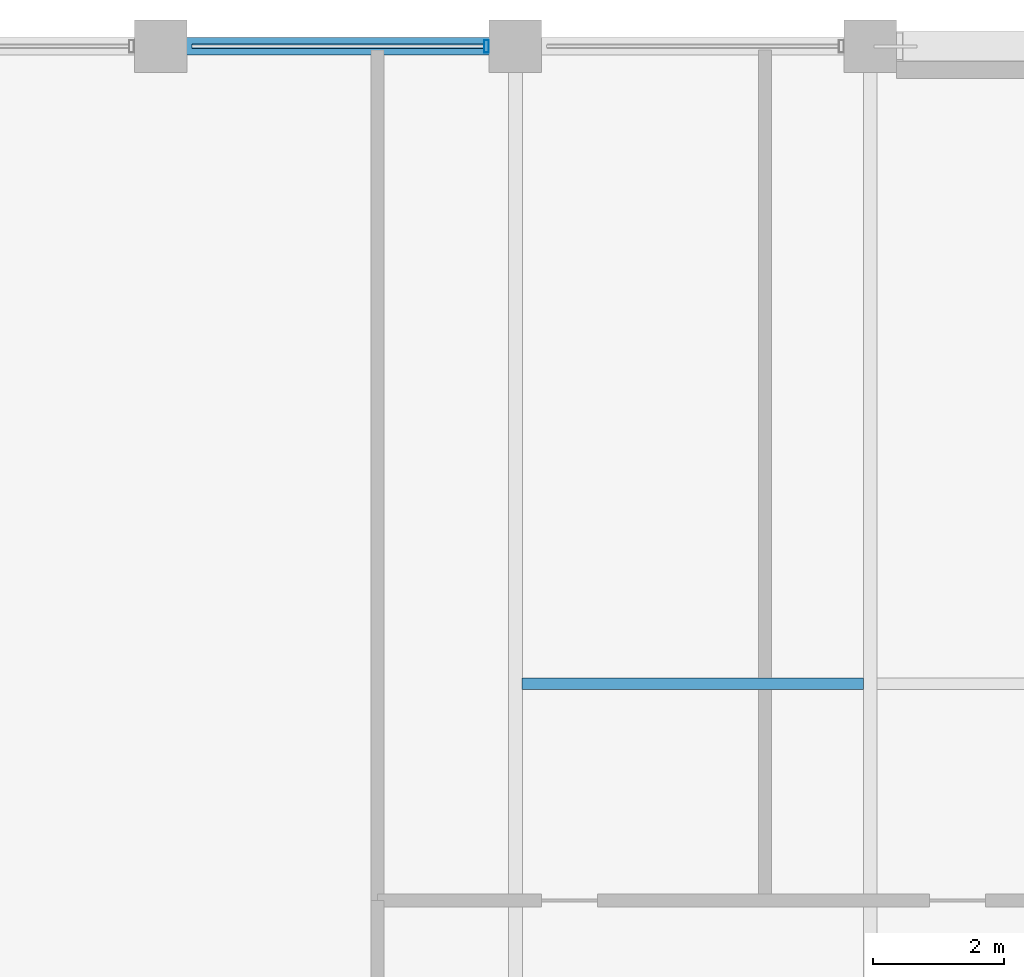
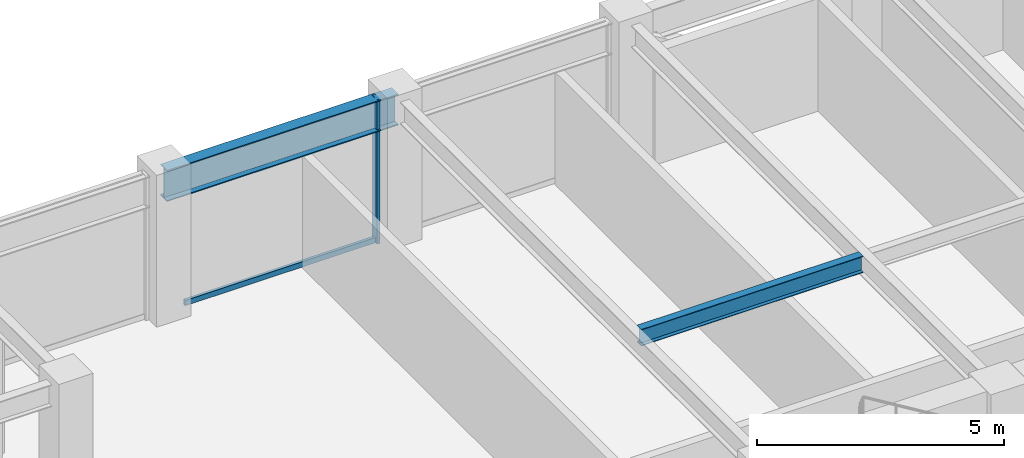
# One storey, part 19 of 32: 2 beams, 2 members, 1 element without a shape of its own.
"""IFC4 building model written with IfcOpenShell, lengths in metres."""

import ifcopenshell
import ifcopenshell.guid

model = None  # the IFC model being written
_history = None  # IfcOwnerHistory: only IFC2X3 demands one
_inside = {}  # id of a spatial element -> (the spatial element, [elements in it])
_under = {}  # id of a project, library or spatial element -> (it, [spatial elements below it])
_declared = {}  # id of a project -> (the project, [libraries it declares])
_typed = {}  # id of a type object -> (the type object, [elements of that type])
_made_of = {}  # id of a material, layer set ... -> (it, [elements and type objects made of it])


def new_model(schema):
    """Start an empty IFC model of exactly this schema.

    Asked for "IFC4X3", IfcOpenShell would pick the latest addendum, in which some entities
    have other attributes; the version numbers below select the first issue.
    IFC2X3 requires an IfcOwnerHistory on every rooted entity: one is made here for all.
    """
    global model, _history
    if schema == "IFC4X3":
        model = ifcopenshell.file(schema_version=(4, 3, 0, 0))
    else:
        model = ifcopenshell.file(schema=schema)
    _inside.clear()
    _under.clear()
    _declared.clear()
    _typed.clear()
    _made_of.clear()
    _history = None
    if model.schema == "IFC2X3":
        org = make("IfcOrganization", Name="unknown")
        user = make(
            "IfcPersonAndOrganization",
            ThePerson=make("IfcPerson", FamilyName="unknown"),
            TheOrganization=org,
        )
        app = make(
            "IfcApplication",
            ApplicationDeveloper=org,
            Version="unknown",
            ApplicationFullName="unknown",
            ApplicationIdentifier="unknown",
        )
        _history = make(
            "IfcOwnerHistory",
            OwningUser=user,
            OwningApplication=app,
            ChangeAction="ADDED",
            CreationDate=0,
        )
    return model


def make(cls, **values):
    """One entity of the class cls with the attributes given. An attribute that is None is left unset."""
    return model.create_entity(
        cls, **{name: value for name, value in values.items() if value is not None}
    )


def rooted(cls, **values):
    """An entity with a GlobalId (a new one), such as an element, a storey or a relation."""
    return make(cls, GlobalId=ifcopenshell.guid.new(), OwnerHistory=_history, **values)


def si_unit(unit_type, name, prefix=None):
    """IfcSIUnit, for example si_unit("LENGTHUNIT", "METRE", prefix="MILLI")."""
    return make("IfcSIUnit", UnitType=unit_type, Prefix=prefix, Name=name)


def assignment(units):
    """IfcUnitAssignment: the units of a project."""
    return None if units is None else make("IfcUnitAssignment", Units=units)


def point(xyz):
    """IfcCartesianPoint."""
    return None if xyz is None else make("IfcCartesianPoint", Coordinates=xyz)


def direction(xyz):
    """IfcDirection."""
    return None if xyz is None else make("IfcDirection", DirectionRatios=xyz)


def frame(location, z_axis=None, x_axis=None):
    """IfcAxis2Placement3D, a coordinate frame: its origin and axes. An axis left out is left unset."""
    return make(
        "IfcAxis2Placement3D",
        Location=point(location),
        Axis=direction(z_axis),
        RefDirection=direction(x_axis),
    )


def frame_2d(location, x_axis=None):
    """IfcAxis2Placement2D, a coordinate frame in the plane: its origin and x axis."""
    return make(
        "IfcAxis2Placement2D", Location=point(location), RefDirection=direction(x_axis)
    )


def origin():
    """The frame at (0, 0, 0) with its axes left unset."""
    return frame((0.0, 0.0, 0.0))


def origin_2d():
    """The frame at (0, 0) in the plane with its x axis left unset."""
    return frame_2d((0.0, 0.0))


def place(relative_to, where):
    """IfcLocalPlacement: puts the frame where relative to a parent placement (None: the world)."""
    return make(
        "IfcLocalPlacement", PlacementRelTo=relative_to, RelativePlacement=where
    )


def context(
    kind, dimensions, precision=None, world=None, true_north=None, identifier=None
):
    """IfcGeometricRepresentationContext, for example the 3D "Model" context."""
    return make(
        "IfcGeometricRepresentationContext",
        ContextIdentifier=identifier,
        ContextType=kind,
        CoordinateSpaceDimension=dimensions,
        Precision=precision,
        WorldCoordinateSystem=world,
        TrueNorth=true_north,
    )


def subcontext(parent, identifier, kind, view, scale=None):
    """IfcGeometricRepresentationSubContext, for example "Body" below "Model"."""
    return make(
        "IfcGeometricRepresentationSubContext",
        ContextIdentifier=identifier,
        ContextType=kind,
        ParentContext=parent,
        TargetScale=scale,
        TargetView=view,
    )


def project(units=None, contexts=None):
    """IfcProject with its units and contexts."""
    return rooted(
        "IfcProject",
        Name="project",
        RepresentationContexts=contexts,
        UnitsInContext=assignment(units),
    )


def spatial(cls, under=None, at=None, **own):
    """A site, building, storey or space (cls), placed at a placement, below another one or the project."""
    s = rooted(cls, ObjectPlacement=at, **own)
    if under is not None:
        _under.setdefault(under.id(), (under, []))[1].append(s)
    return s


def profile(cls, at=None, kind="AREA", **sizes):
    """A parametric profile (cls). Its sizes go by their IFC names, for example OverallWidth=200.0."""
    return make(cls, ProfileType=kind, Position=at, **sizes)


def hollow_rectangle(**sizes):
    """IfcRectangleHollowProfileDef."""
    return profile("IfcRectangleHollowProfileDef", **sizes)


def i_section(**sizes):
    """IfcIShapeProfileDef."""
    return profile("IfcIShapeProfileDef", **sizes)


def extrude(swept, where, along, depth):
    """IfcExtrudedAreaSolid: the profile swept, set in the frame where, extruded along a direction by depth."""
    return make(
        "IfcExtrudedAreaSolid",
        SweptArea=swept,
        Position=where,
        ExtrudedDirection=direction(along),
        Depth=depth,
    )


def shape(context_of_items, identifier, shape_type, items):
    """IfcShapeRepresentation: the items that make up one representation, for example the "Body"."""
    return make(
        "IfcShapeRepresentation",
        ContextOfItems=context_of_items,
        RepresentationIdentifier=identifier,
        RepresentationType=shape_type,
        Items=items,
    )


def material(Name=None, Category=None):
    """IfcMaterial."""
    return make("IfcMaterial", Name=Name, Category=Category)


def layer(
    of_material, thickness, ventilated=None, Name=None, Category=None, Priority=None
):
    """IfcMaterialLayer: one layer of a wall or slab, of a material (None: an air gap)."""
    return make(
        "IfcMaterialLayer",
        Material=of_material,
        LayerThickness=thickness,
        IsVentilated=ventilated,
        Name=Name,
        Category=Category,
        Priority=Priority,
    )


def layer_set(layers, Name=None):
    """IfcMaterialLayerSet."""
    return make("IfcMaterialLayerSet", MaterialLayers=layers, LayerSetName=Name)


def material_profile(
    of_material, cross_section, Name=None, Category=None, Priority=None
):
    """IfcMaterialProfile: a cross section and its material."""
    return make(
        "IfcMaterialProfile",
        Name=Name,
        Material=of_material,
        Profile=cross_section,
        Priority=Priority,
        Category=Category,
    )


def profile_set(profiles, Name=None, composite=None):
    """IfcMaterialProfileSet."""
    return make(
        "IfcMaterialProfileSet",
        Name=Name,
        MaterialProfiles=profiles,
        CompositeProfile=composite,
    )


def made_of(thing, what):
    """Note that an element or type object is made of a material, layer set ...; save() writes the relation."""
    if what is not None:
        _made_of.setdefault(what.id(), (what, []))[1].append(thing)
    return thing


def type_object(cls, material=None, **own):
    """A type object (cls), such as IfcWallType, which elements share."""
    return made_of(rooted(cls, **own), material)


def element(
    cls,
    number,
    at=None,
    inside=None,
    cuts=None,
    type_object=None,
    material=None,
    context=None,
    identifier="Body",
    shape_type=None,
    held_by="IfcProductDefinitionShape",
    body=None,
    shapes=None,
    **own,
):
    """One element of the class cls, such as IfcWall. Its Tag is "e" and its number.

    at: its placement. inside: the storey or other place that contains it. cuts: it is an
    opening in that element (IfcRelVoidsElement). A single representation is given by context,
    identifier, shape_type and body (its items); several are given by shapes. held_by: the class
    of the entity that holds the representations. save() writes the other relations.
    """
    e = rooted(cls, Tag="e%d" % number, ObjectPlacement=at, **own)
    if body is not None:
        shapes = [shape(context, identifier, shape_type, body)]
    if shapes is not None:
        e.Representation = make(held_by, Representations=shapes)
    if inside is not None:
        _inside.setdefault(inside.id(), (inside, []))[1].append(e)
    if cuts is not None:
        rooted(
            "IfcRelVoidsElement", RelatingBuildingElement=cuts, RelatedOpeningElement=e
        )
    if type_object is not None:
        _typed.setdefault(type_object.id(), (type_object, []))[1].append(e)
    return made_of(e, material)


def aggregate(whole, parts):
    """IfcRelAggregates: a whole, such as a stair, and the parts it consists of."""
    return rooted("IfcRelAggregates", RelatingObject=whole, RelatedObjects=parts)


def save(model, path):
    """Write the relations noted so far, then the file.

    IfcRelAggregates (storeys below a building ...), IfcRelContainedInSpatialStructure (elements
    in a storey), IfcRelDefinesByType, IfcRelAssociatesMaterial and IfcRelDeclares: one each for
    every whole, place, type object, material and project.
    """
    for whole, parts in _under.values():
        aggregate(whole, parts)
    for where, things in _inside.values():
        rooted(
            "IfcRelContainedInSpatialStructure",
            RelatedElements=things,
            RelatingStructure=where,
        )
    for kind, things in _typed.values():
        rooted("IfcRelDefinesByType", RelatedObjects=things, RelatingType=kind)
    for what, things in _made_of.values():
        rooted("IfcRelAssociatesMaterial", RelatedObjects=things, RelatingMaterial=what)
    for by, libraries in _declared.values():
        rooted("IfcRelDeclares", RelatingContext=by, RelatedDefinitions=libraries)
    model.write(path)


model = new_model("IFC4")

# Units and contexts
model_context = context("Model", 3, precision=1e-05, world=origin(), true_north=direction((0.0, 1.0)))
body_context = subcontext(model_context, "Body", "Model", "MODEL_VIEW")
ifc_project = project(units=[si_unit("LENGTHUNIT", "METRE"), si_unit("AREAUNIT", "SQUARE_METRE"), si_unit("VOLUMEUNIT", "CUBIC_METRE"), si_unit("PLANEANGLEUNIT", "RADIAN"), si_unit("MASSUNIT", "GRAM", prefix="KILO")], contexts=[model_context])

# Site, building, storey
site_placement = place(None, origin())
site = spatial("IfcSite", under=ifc_project, at=site_placement, CompositionType="ELEMENT")
building_placement = place(site_placement, origin())
building = spatial("IfcBuilding", under=site, at=building_placement, Name="Surkhivell Harbour Commons", CompositionType="ELEMENT")
storey_placement = place(building_placement, frame((0.0, 0.0, 219.75)))
storey = spatial("IfcBuildingStorey", under=building, at=storey_placement, Name="L57", CompositionType="ELEMENT", Elevation=219.75)

# Beams
ifc_material_1 = material(Name="Steel S355", Category="steel")
ifc_material_profile_1 = material_profile(ifc_material_1, i_section(OverallWidth=0.178955078125, OverallDepth=0.408935546875, WebThickness=0.0087890625, FlangeThickness=0.014404296875, at=origin_2d()), Name="UB406x178x67")
ifc_profile_set_1 = profile_set([ifc_material_profile_1], Name="Steel S355")
beam_type_1 = type_object("IfcBeamType", Name="BM-JST-406", PredefinedType="JOIST", material=ifc_profile_set_1)
beam_1_placement = place(storey_placement, frame((-10.696044921875, 16.199951171875, 3.365478515625), z_axis=(1.0, 0.0, 0.0), x_axis=(0.0, 1.0, 0.0)))
element("IfcBeam", 1, at=beam_1_placement, inside=storey, type_object=beam_type_1, Name="L57 North Composite Joist (-10.8)", PredefinedType="JOIST", context=body_context, shape_type="SweptSolid", body=[
    extrude(i_section(OverallWidth=0.178955078125, OverallDepth=0.408935546875, WebThickness=0.0087890625, FlangeThickness=0.014404296875, at=origin_2d()), origin(), (0.0, 0.0, 1.0), 5.192138671875),
])
ifc_material_profile_2 = material_profile(ifc_material_1, i_section(OverallWidth=0.26806640625, OverallDepth=0.77001953125, WebThickness=0.015625, FlangeThickness=0.025390625, at=origin_2d()), Name="UB762x267x197")
ifc_profile_set_2 = profile_set([ifc_material_profile_2], Name="Steel S355")
beam_type_2 = type_object("IfcBeamType", Name="BM-SPN-762", PredefinedType="SPANDREL", material=ifc_profile_set_2)
beam_2_placement = place(storey_placement, frame((-16.199951171875, 25.89990234375, 3.18505859375), z_axis=(1.0, 0.0, 0.0), x_axis=(0.0, 1.0, 0.0)))
element("IfcBeam", 2, at=beam_2_placement, inside=storey, type_object=beam_type_2, Name="L57 Tube Spandrel (-16.2,25.9)", PredefinedType="SPANDREL", context=body_context, shape_type="SweptSolid", body=[
    extrude(i_section(OverallWidth=0.26806640625, OverallDepth=0.77001953125, WebThickness=0.015625, FlangeThickness=0.025390625, at=origin_2d()), origin(), (0.0, 0.0, 1.0), 5.39990234375),
])

# Curtain wall, members
ifc_material_2 = material(Name="Anodised pale-metal aluminium and insulated glazing", Category="aluminium")
ifc_layer = layer(ifc_material_2, 0.18994140625)
ifc_layer_set = layer_set([ifc_layer], Name="Anodised pale-metal aluminium and insulated glazing")
curtain_wall_type = type_object("IfcCurtainWallType", Name="CW-SYS-Z3", PredefinedType="NOTDEFINED", material=ifc_layer_set)
curtain_wall_placement = place(storey_placement, origin())
curtain_wall = element("IfcCurtainWall", 3, at=curtain_wall_placement, inside=storey, type_object=curtain_wall_type, Name="L57 Curtain Wall CW-L57-E07S2", PredefinedType="NOTDEFINED")
ifc_material_3 = material(Name="Anodised pale-metal aluminium alloy 6063-T6", Category="aluminium")
ifc_material_profile_3 = material_profile(ifc_material_3, hollow_rectangle(XDim=0.074951171875, YDim=0.18994140625, WallThickness=0.00390625, at=origin_2d()), Name="ALU-MULL-75x190")
ifc_profile_set_3 = profile_set([ifc_material_profile_3], Name="Anodised pale-metal aluminium alloy 6063-T6")
member_type_1 = type_object("IfcMemberType", Name="CWM-190", PredefinedType="MULLION", material=ifc_profile_set_3)
member_1_placement = place(storey_placement, frame((-11.239501953125, 25.89990234375, 0.0), z_axis=(0.0, 0.0, 1.0), x_axis=(-1.0, 0.0, 0.0)))
member_1 = element("IfcMember", 4, at=member_1_placement, type_object=member_type_1, Name="CW-Z3 mullion 2", PredefinedType="MULLION", context=body_context, shape_type="SweptSolid", body=[
    extrude(hollow_rectangle(XDim=0.074951171875, YDim=0.18994140625, WallThickness=0.00390625, at=origin_2d()), origin(), (0.0, 0.0, 1.0), 3.570068359375),
])
ifc_material_4 = material(Name="Champagne anodised aluminium alloy 6063-T6", Category="aluminium")
ifc_material_profile_4 = material_profile(ifc_material_4, hollow_rectangle(XDim=0.070068359375, YDim=0.1298828125, WallThickness=0.00341796875, at=origin_2d()), Name="ALU-TRAN-70x130")
ifc_profile_set_4 = profile_set([ifc_material_profile_4], Name="Champagne anodised aluminium alloy 6063-T6")
member_type_2 = type_object("IfcMemberType", Name="CWT-130", PredefinedType="USERDEFINED", material=ifc_profile_set_4)
member_2_placement = place(storey_placement, frame((-11.277099609375, 25.89990234375, 0.06494140625), z_axis=(-1.0, 0.0, 0.0), x_axis=(0.0, -1.0, 0.0)))
member_2 = element("IfcMember", 5, at=member_2_placement, type_object=member_type_2, Name="CW-Z3 transom 2.1", ObjectType="TRANSOM", PredefinedType="USERDEFINED", context=body_context, shape_type="SweptSolid", body=[
    extrude(hollow_rectangle(XDim=0.070068359375, YDim=0.1298828125, WallThickness=0.00341796875, at=origin_2d()), origin(), (0.0, 0.0, 1.0), 4.44580078125),
])
aggregate(curtain_wall, [member_1, member_2])

save(model, "model.ifc")
